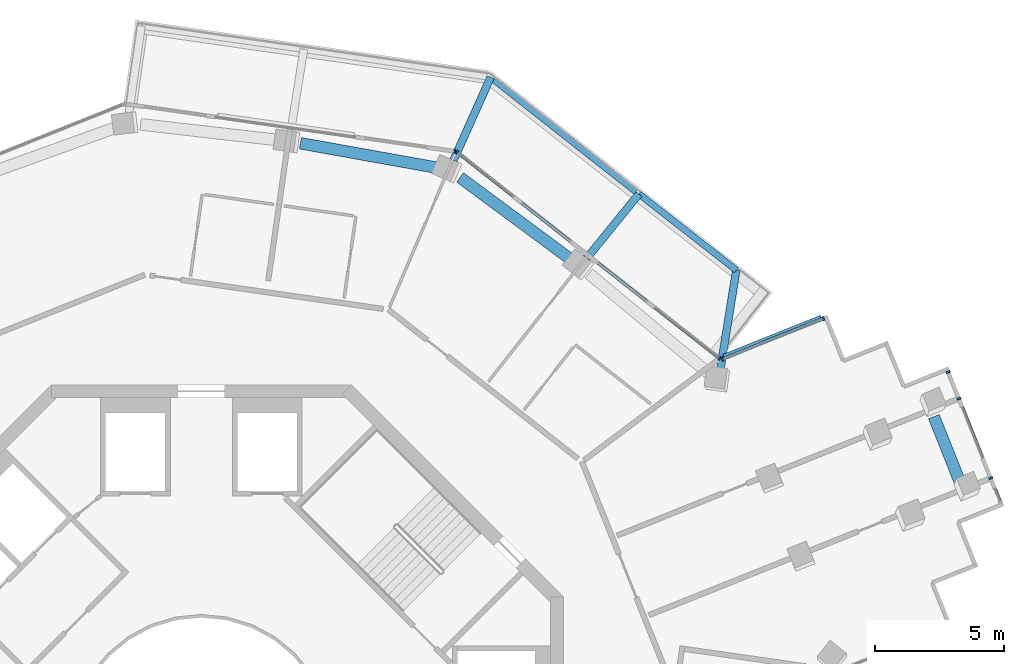
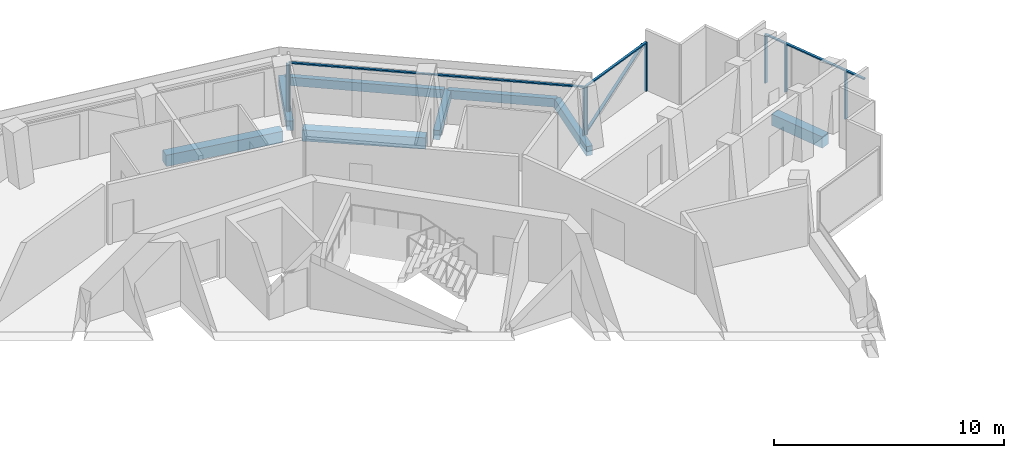
# One storey, part 9 of 23: 12 members, 8 beams, 4 elements without a shape of their own.
"""IFC4 building model written with IfcOpenShell, lengths in metres."""

from ifc_helpers import new_model, si_unit, direction, frame, origin, origin_2d, place, context, subcontext, project, spatial, rectangle, extrude, material, layer, layer_set, material_profile, profile_set, type_object, element, aggregate, save


model = new_model("IFC4")

# Units and contexts
model_context = context("Model", 3, precision=1e-05, world=origin(), true_north=direction((0.0, 1.0)))
body_context = subcontext(model_context, "Body", "Model", "MODEL_VIEW")
ifc_project = project(units=[si_unit("LENGTHUNIT", "METRE"), si_unit("AREAUNIT", "SQUARE_METRE"), si_unit("VOLUMEUNIT", "CUBIC_METRE"), si_unit("PLANEANGLEUNIT", "RADIAN"), si_unit("MASSUNIT", "GRAM", prefix="KILO")], contexts=[model_context])

# Site, building, storey
site_placement = place(None, origin())
site = spatial("IfcSite", under=ifc_project, at=site_placement, CompositionType="ELEMENT")
building_placement = place(site_placement, origin())
building = spatial("IfcBuilding", under=site, at=building_placement, Name="Verdalira Terraces Hotel", CompositionType="ELEMENT")
storey_placement = place(building_placement, frame((0.0, 0.0, 244.5)))
storey = spatial("IfcBuildingStorey", under=building, at=storey_placement, Name="L60", CompositionType="ELEMENT", Elevation=244.5)

# Beams
ifc_material_1 = material(Name="Concrete C40", Category="concrete")
ifc_material_profile_1 = material_profile(ifc_material_1, rectangle(XDim=0.300049, YDim=0.5, at=origin_2d()), Name="RC 300X500")
ifc_profile_set_1 = profile_set([ifc_material_profile_1], Name="Concrete C40")
beam_type_1 = type_object("IfcBeamType", Name="Balcony cantilever beam RC 300X500 C40", PredefinedType="BEAM", material=ifc_profile_set_1)
beam_1_placement = place(storey_placement, frame((20.05542, 14.531494, -0.560059), z_axis=(0.158472594, 0.987363376, 0.0), x_axis=(-0.987363376, 0.158472594, 0.0)))
element("IfcBeam", 1, at=beam_1_placement, inside=storey, type_object=beam_type_1, Name="Balcony cantilever beam R39-1", PredefinedType="BEAM", context=body_context, shape_type="SweptSolid", body=[
    extrude(rectangle(XDim=0.300049, YDim=0.5, at=origin_2d()), origin(), (0.0, 0.0, 1.0), 3.949951),
])
beam_2_placement = place(storey_placement, frame((14.897217, 18.890625, -0.560059), z_axis=(0.630971561, 0.775805961, 0.0), x_axis=(-0.775805961, 0.630971561, 0.0)))
element("IfcBeam", 2, at=beam_2_placement, inside=storey, type_object=beam_type_1, Name="Balcony cantilever beam R39-2", PredefinedType="BEAM", context=body_context, shape_type="SweptSolid", body=[
    extrude(rectangle(XDim=0.300049, YDim=0.5, at=origin_2d()), origin(), (0.0, 0.0, 1.0), 3.201172),
])
beam_3_placement = place(storey_placement, frame((9.748047, 22.679199, -0.560059), z_axis=(0.408650915, 0.912690763, 0.0), x_axis=(-0.912690763, 0.408650915, 0.0)))
element("IfcBeam", 3, at=beam_3_placement, inside=storey, type_object=beam_type_1, Name="Balcony cantilever beam R39-3", PredefinedType="BEAM", context=body_context, shape_type="SweptSolid", body=[
    extrude(rectangle(XDim=0.300049, YDim=0.5, at=origin_2d()), origin(), (0.0, 0.0, 1.0), 3.51416),
])
ifc_material_2 = material(Name="Concrete C40", Category="concrete")
ifc_material_profile_2 = material_profile(ifc_material_2, rectangle(XDim=0.25, YDim=0.449951, at=origin_2d()), Name="RC 250X450")
ifc_profile_set_2 = profile_set([ifc_material_profile_2], Name="Concrete C40")
beam_type_2 = type_object("IfcBeamType", Name="Balcony edge beam RC 250X450 C40", PredefinedType="BEAM", material=ifc_profile_set_2)
beam_4_placement = place(storey_placement, frame((20.681396, 18.431641, -0.534912), z_axis=(-0.787877937, 0.615831435, 0.0), x_axis=(-0.615831435, -0.787877937, 0.0)))
element("IfcBeam", 4, at=beam_4_placement, inside=storey, type_object=beam_type_2, Name="Balcony edge beam R39-1", PredefinedType="BEAM", context=body_context, shape_type="SweptSolid", body=[
    extrude(rectangle(XDim=0.25, YDim=0.449951, at=origin_2d()), origin(), (0.0, 0.0, 1.0), 4.777832),
])
beam_5_placement = place(storey_placement, frame((16.799072, 21.466797, -0.534912), z_axis=(-0.785781212, 0.618504557, 0.0), x_axis=(-0.618504557, -0.785781212, 0.0)))
element("IfcBeam", 5, at=beam_5_placement, inside=storey, type_object=beam_type_2, Name="Balcony edge beam R39-2", PredefinedType="BEAM", context=body_context, shape_type="SweptSolid", body=[
    extrude(rectangle(XDim=0.25, YDim=0.449951, at=origin_2d()), origin(), (0.0, 0.0, 1.0), 6.990967),
])

# Curtain wall, members
ifc_material_3 = material(Name="Clear glass", Category="glass")
ifc_layer_1 = layer(ifc_material_3, 0.14990234375)
ifc_layer_set_1 = layer_set([ifc_layer_1], Name="CW1 curtain wall")
curtain_wall_type_1 = type_object("IfcCurtainWallType", Name="CW1 curtain wall", PredefinedType="NOTDEFINED", material=ifc_layer_set_1)
curtain_wall_1_placement = place(storey_placement, origin())
curtain_wall_1 = element("IfcCurtainWall", 6, at=curtain_wall_1_placement, inside=storey, type_object=curtain_wall_type_1, Name="CW1 curtain wall L60 edge 39", PredefinedType="NOTDEFINED")
ifc_material_4 = material(Name="Terracotta frame", Category="masonry")
ifc_material_profile_3 = material_profile(ifc_material_4, rectangle(XDim=0.060059, YDim=0.149902, at=origin_2d()), Name="MU 60x150")
ifc_profile_set_3 = profile_set([ifc_material_profile_3], Name="Terracotta frame")
member_type_1 = type_object("IfcMemberType", Name="CW1 mullion 60x150", PredefinedType="MULLION", material=ifc_profile_set_3)
member_1_placement = place(storey_placement, frame((20.029297, 15.017578, 0.0), z_axis=(0.0, 0.0, 1.0), x_axis=(-0.786288432, 0.617859613, 0.0)))
member_1 = element("IfcMember", 7, at=member_1_placement, type_object=member_type_1, Name="CW1 mullion", PredefinedType="MULLION", context=body_context, shape_type="SweptSolid", body=[
    extrude(rectangle(XDim=0.060059, YDim=0.149902, at=origin_2d()), origin(), (0.0, 0.0, 1.0), 2.524902),
])
member_2_placement = place(storey_placement, frame((9.88623, 22.987793, 0.0), z_axis=(0.0, 0.0, 1.0), x_axis=(-0.786288432, 0.617859613, 0.0)))
member_2 = element("IfcMember", 8, at=member_2_placement, type_object=member_type_1, Name="CW1 mullion", PredefinedType="MULLION", context=body_context, shape_type="SweptSolid", body=[
    extrude(rectangle(XDim=0.060059, YDim=0.149902, at=origin_2d()), origin(), (0.0, 0.0, 1.0), 2.524902),
])

# Curtain wall, member
curtain_wall_2_placement = place(storey_placement, origin())
curtain_wall_2 = element("IfcCurtainWall", 9, at=curtain_wall_2_placement, inside=storey, type_object=curtain_wall_type_1, Name="CW1 curtain wall L60 edge 40", PredefinedType="NOTDEFINED")
member_3_placement = place(storey_placement, frame((9.797119, 23.025879, 0.0), z_axis=(0.0, 0.0, 1.0), x_axis=(-0.989875563, 0.141937905, 0.0)))
member_3 = element("IfcMember", 10, at=member_3_placement, type_object=member_type_1, Name="CW1 mullion", PredefinedType="MULLION", context=body_context, shape_type="SweptSolid", body=[
    extrude(rectangle(XDim=0.060059, YDim=0.149902, at=origin_2d()), origin(), (0.0, 0.0, 1.0), 2.524902),
])
aggregate(curtain_wall_2, [member_3])

# Member
ifc_material_5 = material(Name="Terracotta frame", Category="masonry")
ifc_material_profile_4 = material_profile(ifc_material_5, rectangle(XDim=0.110107, YDim=0.064941, at=origin_2d()), Name="TR 65x110")
ifc_profile_set_4 = profile_set([ifc_material_profile_4], Name="Terracotta frame")
member_type_2 = type_object("IfcMemberType", Name="CW1 transom 65x110", PredefinedType="USERDEFINED", material=ifc_profile_set_4)
member_4_placement = place(storey_placement, frame((20.052734, 14.999023, 2.557617), z_axis=(-0.786290229, 0.617857326, 0.0), x_axis=(-0.617857326, -0.786290229, 0.0)))
member_4 = element("IfcMember", 11, at=member_4_placement, type_object=member_type_2, Name="CW1 transom", ObjectType="TRANSOM", PredefinedType="USERDEFINED", context=body_context, shape_type="SweptSolid", body=[
    extrude(rectangle(XDim=0.110107, YDim=0.064941, at=origin_2d()), origin(), (0.0, 0.0, 1.0), 12.959717),
])

aggregate(curtain_wall_1, [member_1, member_2, member_4])

# Curtain wall, members
ifc_material_6 = material(Name="Clear glass", Category="glass")
ifc_layer_2 = layer(ifc_material_6, 0.14990234375)
ifc_layer_set_2 = layer_set([ifc_layer_2], Name="CW2 curtain wall")
curtain_wall_type_2 = type_object("IfcCurtainWallType", Name="CW2 curtain wall", PredefinedType="NOTDEFINED", material=ifc_layer_set_2)
curtain_wall_3_placement = place(storey_placement, origin())
curtain_wall_3 = element("IfcCurtainWall", 12, at=curtain_wall_3_placement, inside=storey, type_object=curtain_wall_type_2, Name="CW2 curtain wall L60 edge 38", PredefinedType="NOTDEFINED")
ifc_material_7 = material(Name="Terracotta frame", Category="masonry")
ifc_material_profile_5 = material_profile(ifc_material_7, rectangle(XDim=0.070068, YDim=0.149902, at=origin_2d()), Name="MU 70x150")
ifc_profile_set_5 = profile_set([ifc_material_profile_5], Name="Terracotta frame")
member_type_3 = type_object("IfcMemberType", Name="CW2 mullion 70x150", PredefinedType="MULLION", material=ifc_profile_set_5)
member_5_placement = place(storey_placement, frame((24.049561, 16.560547, 0.0), z_axis=(0.0, 0.0, 1.0), x_axis=(-0.928226337, -0.37201595, 0.0)))
member_5 = element("IfcMember", 13, at=member_5_placement, type_object=member_type_3, Name="CW2 mullion", PredefinedType="MULLION", context=body_context, shape_type="SweptSolid", body=[
    extrude(rectangle(XDim=0.070068, YDim=0.149902, at=origin_2d()), origin(), (0.0, 0.0, 1.0), 2.524902),
])
member_6_placement = place(storey_placement, frame((20.159424, 15.001465, 0.0), z_axis=(0.0, 0.0, 1.0), x_axis=(-0.928226337, -0.37201595, 0.0)))
member_6 = element("IfcMember", 14, at=member_6_placement, type_object=member_type_3, Name="CW2 mullion", PredefinedType="MULLION", context=body_context, shape_type="SweptSolid", body=[
    extrude(rectangle(XDim=0.070068, YDim=0.149902, at=origin_2d()), origin(), (0.0, 0.0, 1.0), 2.524902),
])
ifc_material_8 = material(Name="Terracotta frame", Category="masonry")
ifc_material_profile_6 = material_profile(ifc_material_8, rectangle(XDim=0.11499, YDim=0.064941, at=origin_2d()), Name="TR 65x115")
ifc_profile_set_6 = profile_set([ifc_material_profile_6], Name="Terracotta frame")
member_type_4 = type_object("IfcMemberType", Name="CW2 transom 65x115", PredefinedType="USERDEFINED", material=ifc_profile_set_6)
member_7_placement = place(storey_placement, frame((24.082031, 16.573486, 2.557617), z_axis=(-0.928219618, -0.372032715, 0.0), x_axis=(0.372032715, -0.928219618, 0.0)))
member_7 = element("IfcMember", 15, at=member_7_placement, type_object=member_type_4, Name="CW2 transom", ObjectType="TRANSOM", PredefinedType="USERDEFINED", context=body_context, shape_type="SweptSolid", body=[
    extrude(rectangle(XDim=0.11499, YDim=0.064941, at=origin_2d()), origin(), (0.0, 0.0, 1.0), 4.260986),
])

ifc_material_9 = material(Name="Clear glass", Category="glass")
ifc_layer_3 = layer(ifc_material_9, 0.14990234375)
ifc_layer_set_3 = layer_set([ifc_layer_3], Name="CW3 curtain wall")
curtain_wall_type_3 = type_object("IfcCurtainWallType", Name="CW3 curtain wall", PredefinedType="NOTDEFINED", material=ifc_layer_set_3)
curtain_wall_4_placement = place(storey_placement, origin())
curtain_wall_4 = element("IfcCurtainWall", 16, at=curtain_wall_4_placement, inside=storey, type_object=curtain_wall_type_3, Name="CW3 curtain wall L60 edge 33", PredefinedType="NOTDEFINED")
ifc_material_10 = material(Name="Terracotta frame", Category="masonry")
ifc_material_profile_7 = material_profile(ifc_material_10, rectangle(XDim=0.080078, YDim=0.149902, at=origin_2d()), Name="MU 80x150")
ifc_profile_set_7 = profile_set([ifc_material_profile_7], Name="Terracotta frame")
member_type_5 = type_object("IfcMemberType", Name="CW3 mullion 80x150", PredefinedType="MULLION", material=ifc_profile_set_7)
member_8_placement = place(storey_placement, frame((30.52002, 10.388916, 0.0), z_axis=(0.0, 0.0, 1.0), x_axis=(-0.37201595, 0.928226337, 0.0)))
member_8 = element("IfcMember", 17, at=member_8_placement, type_object=member_type_5, Name="CW3 mullion", PredefinedType="MULLION", context=body_context, shape_type="SweptSolid", body=[
    extrude(rectangle(XDim=0.080078, YDim=0.149902, at=origin_2d()), origin(), (0.0, 0.0, 1.0), 2.524902),
])
member_9_placement = place(storey_placement, frame((29.286865, 13.465576, 0.0), z_axis=(0.0, 0.0, 1.0), x_axis=(-0.37201595, 0.928226337, 0.0)))
member_9 = element("IfcMember", 18, at=member_9_placement, type_object=member_type_5, Name="CW3 mullion", PredefinedType="MULLION", context=body_context, shape_type="SweptSolid", body=[
    extrude(rectangle(XDim=0.080078, YDim=0.149902, at=origin_2d()), origin(), (0.0, 0.0, 1.0), 2.524902),
])
member_10_placement = place(storey_placement, frame((28.875244, 14.492188, 0.0), z_axis=(0.0, 0.0, 1.0), x_axis=(-0.37201595, 0.928226337, 0.0)))
member_10 = element("IfcMember", 19, at=member_10_placement, type_object=member_type_5, Name="CW3 mullion", PredefinedType="MULLION", context=body_context, shape_type="SweptSolid", body=[
    extrude(rectangle(XDim=0.080078, YDim=0.149902, at=origin_2d()), origin(), (0.0, 0.0, 1.0), 2.524902),
])
ifc_material_11 = material(Name="Terracotta frame", Category="masonry")
ifc_material_profile_8 = material_profile(ifc_material_11, rectangle(XDim=0.120117, YDim=0.064941, at=origin_2d()), Name="TR 65x120")
ifc_profile_set_8 = profile_set([ifc_material_profile_8], Name="Terracotta frame")
member_type_6 = type_object("IfcMemberType", Name="CW3 transom 65x120", PredefinedType="USERDEFINED", material=ifc_profile_set_8)
member_11_placement = place(storey_placement, frame((30.906494, 9.424072, 2.557617), z_axis=(-0.372025814, 0.928222384, 0.0), x_axis=(-0.928222384, -0.372025814, 0.0)))
member_11 = element("IfcMember", 20, at=member_11_placement, type_object=member_type_6, Name="CW3 transom", ObjectType="TRANSOM", PredefinedType="USERDEFINED", context=body_context, shape_type="SweptSolid", body=[
    extrude(rectangle(XDim=0.120117, YDim=0.064941, at=origin_2d()), origin(), (0.0, 0.0, 1.0), 5.5),
])
aggregate(curtain_wall_4, [member_8, member_9, member_10, member_11])

# Member
ifc_material_12 = material(Name="Terracotta frame", Category="masonry")
ifc_material_profile_9 = material_profile(ifc_material_12, rectangle(XDim=0.149902, YDim=0.060059, at=origin_2d()), Name="GB 60x150")
ifc_profile_set_9 = profile_set([ifc_material_profile_9], Name="Terracotta frame")
member_type_7 = type_object("IfcMemberType", Name="Diagonal glazing bar 60x150", PredefinedType="USERDEFINED", material=ifc_profile_set_9)
member_12_placement = place(storey_placement, frame((23.942871, 16.615723, 2.498291), z_axis=(-0.791467003, -0.317216383, -0.522449758), x_axis=(0.372027111, -0.928221864, 0.0)))
member_12 = element("IfcMember", 21, at=member_12_placement, type_object=member_type_7, Name="Diagonal glazing bar", ObjectType="GLAZING BAR", PredefinedType="USERDEFINED", context=body_context, shape_type="SweptSolid", body=[
    extrude(rectangle(XDim=0.149902, YDim=0.060059, at=origin_2d()), origin(), (0.0, 0.0, 1.0), 4.730957),
])

aggregate(curtain_wall_3, [member_5, member_6, member_7, member_12])

# Beams
ifc_material_13 = material(Name="Concrete C40", Category="concrete")
ifc_material_profile_10 = material_profile(ifc_material_13, rectangle(XDim=0.449951, YDim=0.600098, at=origin_2d()), Name="RC 450X600")
ifc_profile_set_10 = profile_set([ifc_material_profile_10], Name="Concrete C40")
beam_type_3 = type_object("IfcBeamType", Name="Spandrel beam RC 450X600 C40", PredefinedType="SPANDREL", material=ifc_profile_set_10)
beam_6_placement = place(storey_placement, frame((29.359375, 10.156494, -0.610107), z_axis=(-0.369352932, 0.929289197, 0.0), x_axis=(-0.929289197, -0.369352932, 0.0)))
element("IfcBeam", 22, at=beam_6_placement, inside=storey, type_object=beam_type_3, Name="Spandrel beam B17", PredefinedType="SPANDREL", context=body_context, shape_type="SweptSolid", body=[
    extrude(rectangle(XDim=0.449951, YDim=0.600098, at=origin_2d()), origin(), (0.0, 0.0, 1.0), 2.810547),
])
beam_7_placement = place(storey_placement, frame((14.335693, 18.807617, -0.610107), z_axis=(-0.803801647, 0.594897396, 0.0), x_axis=(-0.594897396, -0.803801647, 0.0)))
element("IfcBeam", 23, at=beam_7_placement, inside=storey, type_object=beam_type_3, Name="Spandrel beam B19", PredefinedType="SPANDREL", context=body_context, shape_type="SweptSolid", body=[
    extrude(rectangle(XDim=0.449951, YDim=0.600098, at=origin_2d()), origin(), (0.0, 0.0, 1.0), 5.394531),
])
beam_8_placement = place(storey_placement, frame((9.139404, 22.385498, -0.610107), z_axis=(-0.984345547, 0.17624938, 0.0), x_axis=(-0.17624938, -0.984345547, 0.0)))
element("IfcBeam", 24, at=beam_8_placement, inside=storey, type_object=beam_type_3, Name="Spandrel beam B20", PredefinedType="SPANDREL", context=body_context, shape_type="SweptSolid", body=[
    extrude(rectangle(XDim=0.449951, YDim=0.600098, at=origin_2d()), origin(), (0.0, 0.0, 1.0), 5.396729),
])

save(model, "model.ifc")
